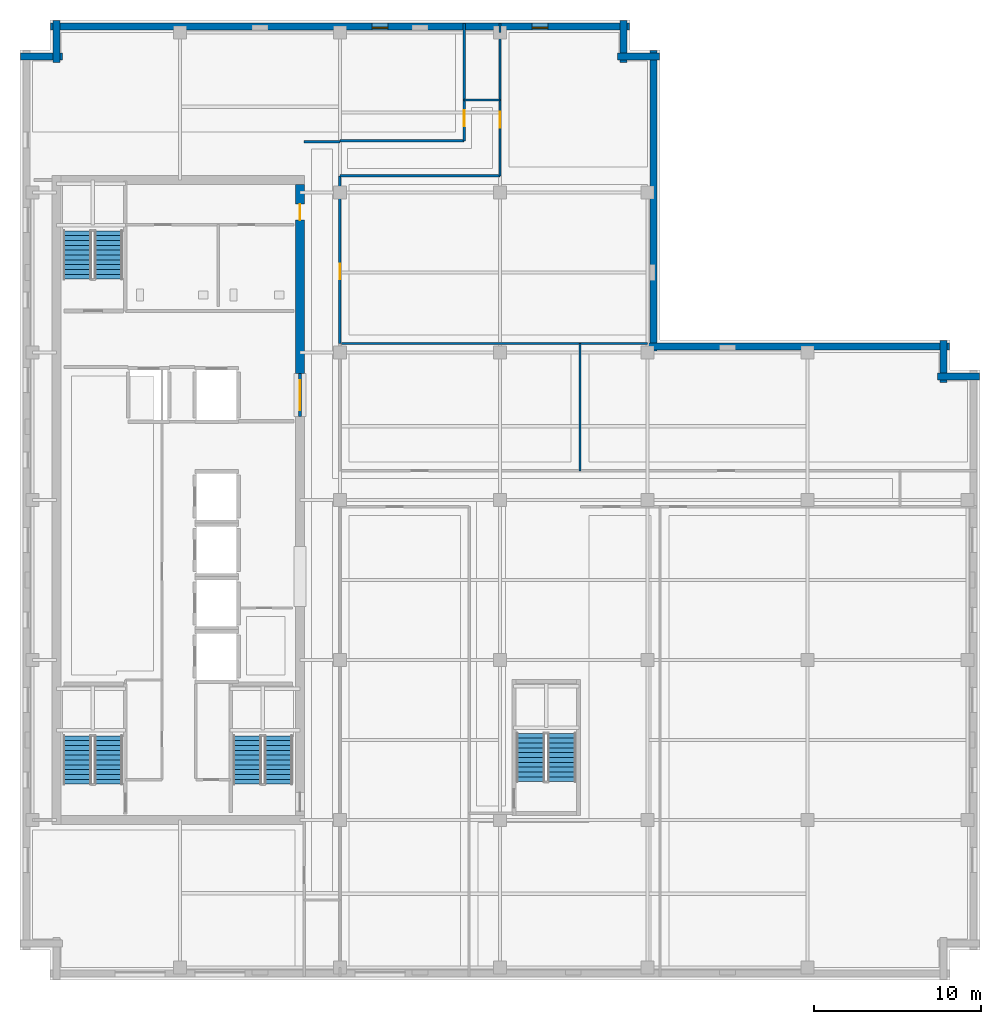
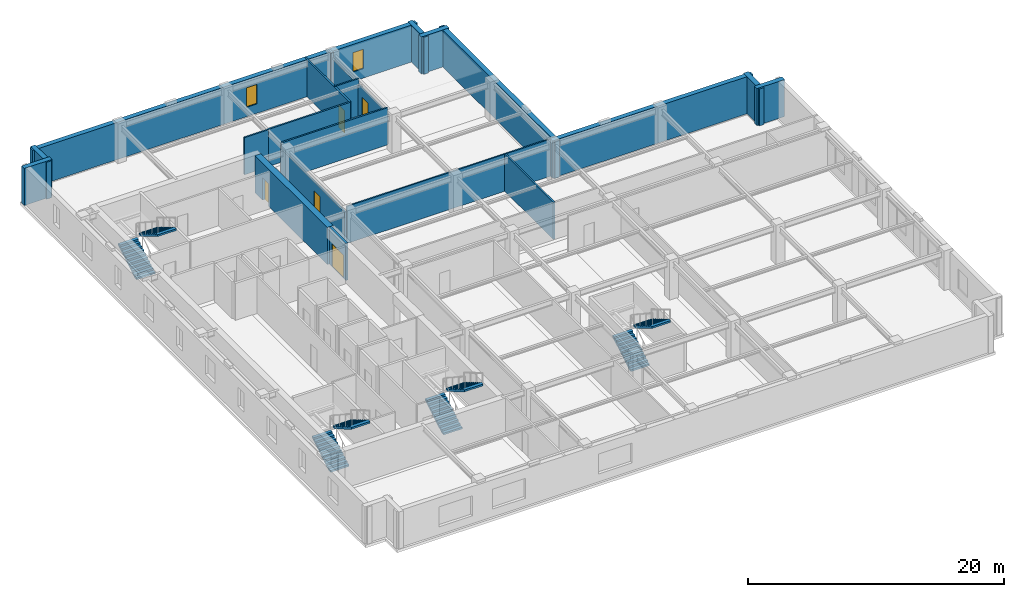
# One storey, part 6 of 11: 21 walls, 8 stair flights, 5 doors, 2 windows, 7 openings, 4 elements without a shape of their own.
"""IFC4 building model written with IfcOpenShell, lengths in metres."""

from ifc_helpers import new_model, si_unit, direction, frame, frame_2d, origin, place, context, subcontext, project, spatial, polyline, rectangle, outline, extrude, material, layer, layer_set, type_object, element, fill, aggregate, save


model = new_model("IFC4")

# Units and contexts
model_context = context("Model", 3, precision=1e-05, world=origin(), true_north=direction((0.0, 1.0)))
body_context = subcontext(model_context, "Body", "Model", "MODEL_VIEW")
ifc_project = project(units=[si_unit("LENGTHUNIT", "METRE"), si_unit("AREAUNIT", "SQUARE_METRE"), si_unit("VOLUMEUNIT", "CUBIC_METRE"), si_unit("PLANEANGLEUNIT", "RADIAN"), si_unit("MASSUNIT", "GRAM", prefix="KILO")], contexts=[model_context])

# Site, building, storey
site_placement = place(None, origin())
site = spatial("IfcSite", under=ifc_project, at=site_placement, CompositionType="ELEMENT")
building_placement = place(site_placement, origin())
building = spatial("IfcBuilding", under=site, at=building_placement, Name="Norrvale University Quadrangle", CompositionType="ELEMENT")
storey_placement = place(building_placement, frame((0.0, 0.0, 248.39990234375)))
storey = spatial("IfcBuildingStorey", under=building, at=storey_placement, Name="L63", CompositionType="ELEMENT", Elevation=248.39990234375)

# Walls
ifc_material_1 = material(Name="Buff Norman Clay Brick Masonry", Category="masonry")
ifc_layer_1 = layer(ifc_material_1, 0.419921875, Name="Buff Norman Clay Brick Masonry")
ifc_layer_set_1 = layer_set([ifc_layer_1], Name="Buff Norman Clay Brick Masonry")
wall_type_1 = type_object("IfcWallType", Name="Wall Buff Brick 420", PredefinedType="SOLIDWALL", material=ifc_layer_set_1)
for number, where, z_axis, x_axis, name in (
    (1, (57.56005859375, 36.2099609375, 0.0), (0.0, 0.0, 1.0), (-1.0, 0.0, 0.0), "Exterior Brick Facade Wall L63-05.1"),
    (2, (55.409912109375, 35.860107421875, 0.0), (0.0, 0.0, 1.0), (0.0, 1.0, 0.0), "Exterior Brick Facade Wall L63-06.1"),
):
    element("IfcWall", number, at=place(storey_placement, frame(where, z_axis=z_axis, x_axis=x_axis)), inside=storey, type_object=wall_type_1, Name=name, PredefinedType="SOLIDWALL", context=body_context, shape_type="SweptSolid", body=[
        extrude(rectangle(XDim=2.5, YDim=0.419921875, at=frame_2d((1.25, 0.0))), origin(), (0.0, 0.0, 1.0), 3.5400390625),
    ])
for number, where, z_axis, x_axis, name in (
    (3, (55.760009765625, 38.010009765625, 0.0), (0.0, 0.0, 1.0), (-1.0, 0.0, 0.0), "Exterior Brick Facade Wall L63-07.1"),
    (4, (38.010009765625, 37.659912109375, 0.0), (0.0, 0.0, 1.0), (0.0, 1.0, 0.0), "Exterior Brick Facade Wall L63-08.1"),
):
    element("IfcWall", number, at=place(storey_placement, frame(where, z_axis=z_axis, x_axis=x_axis)), inside=storey, type_object=wall_type_1, Name=name, PredefinedType="SOLIDWALL", context=body_context, shape_type="SweptSolid", body=[
        extrude(rectangle(XDim=18.10009765625, YDim=0.419921875, at=frame_2d((9.050048828125, 0.0))), origin(), (0.0, 0.0, 1.0), 3.5400390625),
    ])
for number, where, z_axis, x_axis, name in (
    (5, (38.360107421875, 55.409912109375, 0.0), (0.0, 0.0, 1.0), (-1.0, 0.0, 0.0), "Exterior Brick Facade Wall L63-09.1"),
    (6, (36.2099609375, 55.06005859375, 0.0), (0.0, 0.0, 1.0), (0.0, 1.0, 0.0), "Exterior Brick Facade Wall L63-10.1"),
):
    element("IfcWall", number, at=place(storey_placement, frame(where, z_axis=z_axis, x_axis=x_axis)), inside=storey, type_object=wall_type_1, Name=name, PredefinedType="SOLIDWALL", context=body_context, shape_type="SweptSolid", body=[
        extrude(rectangle(XDim=2.5, YDim=0.419921875, at=frame_2d((1.25, 0.0))), origin(), (0.0, 0.0, 1.0), 3.5400390625),
    ])

# Wall, openings, windows
wall_1_placement = place(storey_placement, frame((36.56005859375, 57.2099609375, 0.0), z_axis=(0.0, 0.0, 1.0), x_axis=(-1.0, 0.0, 0.0)))
wall_1 = element("IfcWall", 7, at=wall_1_placement, inside=storey, type_object=wall_type_1, Name="Exterior Brick Facade Wall L63-11.1", PredefinedType="SOLIDWALL", context=body_context, shape_type="SweptSolid", body=[
    extrude(rectangle(XDim=34.719970703125, YDim=0.419921875, at=frame_2d((17.35986328125, 0.0))), origin(), (0.0, 0.0, 1.0), 3.5400390625),
])
opening_1_placement = place(wall_1_placement, frame((4.885009765625, 0.0, 0.89990234375)))
opening_1 = element("IfcOpeningElement", 8, at=opening_1_placement, cuts=wall_1, Name="Opening W04", PredefinedType="OPENING", context=body_context, shape_type="SweptSolid", body=[
    extrude(rectangle(XDim=0.949951171875, YDim=1.85009765625, at=frame_2d((0.47509765625, 0.925048828125))), frame((0.0, 0.221923828125, 0.0), z_axis=(0.0, -1.0, 0.0), x_axis=(1.0, 0.0, 0.0)), (0.0, 0.0, 1.0), 0.44384765625),
])
opening_2_placement = place(wall_1_placement, frame((14.485107421875, 0.0, 0.89990234375)))
opening_2 = element("IfcOpeningElement", 9, at=opening_2_placement, cuts=wall_1, Name="Opening W04", PredefinedType="OPENING", context=body_context, shape_type="SweptSolid", body=[
    extrude(rectangle(XDim=0.949951171875, YDim=1.85009765625, at=frame_2d((0.47509765625, 0.925048828125))), frame((0.0, 0.221923828125, 0.0), z_axis=(0.0, -1.0, 0.0), x_axis=(1.0, 0.0, 0.0)), (0.0, 0.0, 1.0), 0.44384765625),
])
ifc_material_2 = material(Name="Triple Low-E Argon Glazing", Category="glass")
window_type = type_object("IfcWindowType", Name="Window Narrow Pier 950x2300", PartitioningType="SINGLE_PANEL", PredefinedType="WINDOW", material=ifc_material_2)
window_1_placement = place(opening_1_placement, origin())
window_1 = element("IfcWindow", 10, at=window_1_placement, inside=storey, type_object=window_type, Name="Window Narrow Pier 950x2300 WIN-L63-E11-1-01", OverallHeight=1.85009765625, OverallWidth=0.949951171875, PartitioningType="SINGLE_PANEL", PredefinedType="WINDOW", context=body_context, shape_type="SweptSolid", body=[
    extrude(rectangle(XDim=0.949951171875, YDim=1.85009765625, at=frame_2d((0.47509765625, 0.925048828125))), frame((0.0, 0.110107421875, 0.0), z_axis=(0.0, -1.0, 0.0), x_axis=(1.0, 0.0, 0.0)), (0.0, 0.0, 1.0), 0.06005859375),
])
fill(opening_1, window_1)
window_2_placement = place(opening_2_placement, origin())
window_2 = element("IfcWindow", 11, at=window_2_placement, inside=storey, type_object=window_type, Name="Window Narrow Pier 950x2300 WIN-L63-E11-1-02", OverallHeight=1.85009765625, OverallWidth=0.949951171875, PartitioningType="SINGLE_PANEL", PredefinedType="WINDOW", context=body_context, shape_type="SweptSolid", body=[
    extrude(rectangle(XDim=0.949951171875, YDim=1.85009765625, at=frame_2d((0.47509765625, 0.925048828125))), frame((0.0, 0.110107421875, 0.0), z_axis=(0.0, -1.0, 0.0), x_axis=(1.0, 0.0, 0.0)), (0.0, 0.0, 1.0), 0.06005859375),
])
fill(opening_2, window_2)

# Walls
for number, where, z_axis, x_axis, name in (
    (12, (2.18994140625, 57.56005859375, 0.0), (0.0, 0.0, 1.0), (0.0, -1.0, 0.0), "Exterior Brick Facade Wall L63-12.1"),
    (13, (2.5400390625, 55.409912109375, 0.0), (0.0, 0.0, 1.0), (-1.0, 0.0, 0.0), "Exterior Brick Facade Wall L63-13.1"),
):
    element("IfcWall", number, at=place(storey_placement, frame(where, z_axis=z_axis, x_axis=x_axis)), inside=storey, type_object=wall_type_1, Name=name, PredefinedType="SOLIDWALL", context=body_context, shape_type="SweptSolid", body=[
        extrude(rectangle(XDim=2.5, YDim=0.419921875, at=frame_2d((1.25, 0.0))), origin(), (0.0, 0.0, 1.0), 3.5400390625),
    ])

# Wall, opening, door
ifc_material_3 = material(Name="Concrete C60/75", Category="concrete")
ifc_layer_2 = layer(ifc_material_3, 0.550048828125, Name="Concrete C60/75")
ifc_layer_set_2 = layer_set([ifc_layer_2], Name="Concrete C60/75")
wall_type_2 = type_object("IfcWallType", Name="Wall Core 550", PredefinedType="SHEAR", material=ifc_layer_set_2)
wall_2_placement = place(storey_placement, frame((16.800048828125, 36.39990234375, 0.0), z_axis=(0.0, 0.0, 1.0), x_axis=(0.0, 1.0, 0.0)))
wall_2 = element("IfcWall", 14, at=wall_2_placement, inside=storey, type_object=wall_type_2, Name="Tower Core Shear Wall L63-E3", PredefinedType="SHEAR", context=body_context, shape_type="SweptSolid", body=[
    extrude(rectangle(XDim=11.3251953125, YDim=0.550048828125, at=frame_2d((5.66259765625, 0.0))), origin(), (0.0, 0.0, 1.0), 3.5400390625),
])
opening_3_placement = place(wall_2_placement, frame((9.199951171875, 0.0, 0.0)))
opening_3 = element("IfcOpeningElement", 15, at=opening_3_placement, cuts=wall_2, Name="Opening D07", PredefinedType="OPENING", context=body_context, shape_type="SweptSolid", body=[
    extrude(rectangle(XDim=0.949951171875, YDim=2.14990234375, at=frame_2d((0.47509765625, 1.074951171875))), frame((0.0, 0.287109375, 0.0), z_axis=(0.0, -1.0, 0.0), x_axis=(1.0, 0.0, 0.0)), (0.0, 0.0, 1.0), 0.573974609375),
])
ifc_material_4 = material(Name="Solid-Core Maple Door", Category="wood")
door_type_1 = type_object("IfcDoorType", Name="Door Office 950x2150", OperationType="NOTDEFINED", PredefinedType="DOOR", material=ifc_material_4)
door_1_placement = place(opening_3_placement, origin())
door_1 = element("IfcDoor", 16, at=door_1_placement, inside=storey, type_object=door_type_1, Name="Door Office 950x2150 DR-L63-NECORR", OperationType="SINGLE_SWING_RIGHT", OverallHeight=2.14990234375, OverallWidth=0.949951171875, PredefinedType="DOOR", context=body_context, shape_type="SweptSolid", body=[
    extrude(rectangle(XDim=0.949951171875, YDim=2.14990234375, at=frame_2d((0.47509765625, 1.074951171875))), frame((0.0, 0.02490234375, 0.0), z_axis=(0.0, -1.0, 0.0), x_axis=(1.0, 0.0, 0.0)), (0.0, 0.0, 1.0), 0.050048828125),
])
fill(opening_3, door_1)

# Walls
ifc_material_5 = material(Name="Standard Academic Gypsum Partition")
ifc_layer_3 = layer(ifc_material_5, 0.125, Name="Standard Academic Gypsum Partition")
ifc_layer_set_3 = layer_set([ifc_layer_3], Name="Standard Academic Gypsum Partition")
wall_type_3 = type_object("IfcWallType", Name="Wall Gypsum Academic 125", PredefinedType="PARTITIONING", material=ifc_layer_set_3)
wall_3_placement = place(storey_placement, frame((19.280029296875, 38.179931640625, 0.0), z_axis=(0.0, 0.0, 1.0), x_axis=(1.0, 0.0, 0.0)))
element("IfcWall", 17, at=wall_3_placement, inside=storey, type_object=wall_type_3, Name="Interior Partition WL-L63-ME-N", PredefinedType="PARTITIONING", context=body_context, shape_type="SweptSolid", body=[
    extrude(rectangle(XDim=18.369873046875, YDim=0.125, at=frame_2d((9.18505859375, 0.0))), origin(), (0.0, 0.0, 1.0), 3.5400390625),
])
ifc_material_6 = material(Name="Fire-Rated Gypsum Stud Partition")
ifc_layer_4 = layer(ifc_material_6, 0.14990234375, Name="Fire-Rated Gypsum Stud Partition")
ifc_layer_set_4 = layer_set([ifc_layer_4], Name="Fire-Rated Gypsum Stud Partition")
wall_type_4 = type_object("IfcWallType", Name="Wall Gypsum Corridor 150", PredefinedType="PARTITIONING", material=ifc_layer_set_4)
wall_4_placement = place(storey_placement, frame((17.050048828125, 50.300048828125, 0.0), z_axis=(0.0, 0.0, 1.0), x_axis=(1.0, 0.0, 0.0)))
element("IfcWall", 18, at=wall_4_placement, inside=storey, type_object=wall_type_4, Name="Interior Partition WL-L63-CSP-N", PredefinedType="PARTITIONING", context=body_context, shape_type="SweptSolid", body=[
    extrude(rectangle(XDim=2.14990234375, YDim=0.14990234375, at=frame_2d((1.074951171875, 0.0))), origin(), (0.0, 0.0, 1.0), 3.5400390625),
])
wall_5_placement = place(storey_placement, frame((33.60009765625, 30.550048828125, 0.0), z_axis=(0.0, 0.0, 1.0), x_axis=(0.0, 1.0, 0.0)))
element("IfcWall", 19, at=wall_5_placement, inside=storey, type_object=wall_type_4, Name="Interior Partition WL-L63-MEP01", PredefinedType="PARTITIONING", context=body_context, shape_type="SweptSolid", body=[
    extrude(rectangle(XDim=7.6298828125, YDim=0.14990234375, at=frame_2d((3.81494140625, 0.0))), origin(), (0.0, 0.0, 1.0), 3.5400390625),
])

# Wall, opening, door
wall_6_placement = place(storey_placement, frame((19.199951171875, 38.179931640625, 0.0), z_axis=(0.0, 0.0, 1.0), x_axis=(0.0, 1.0, 0.0)))
wall_6 = element("IfcWall", 20, at=wall_6_placement, inside=storey, type_object=wall_type_4, Name="Interior Partition WL-L63-MNECW", PredefinedType="PARTITIONING", context=body_context, shape_type="SweptSolid", body=[
    extrude(rectangle(XDim=10.070068359375, YDim=0.14990234375, at=frame_2d((5.03515625, 0.0))), origin(), (0.0, 0.0, 1.0), 3.007080078125),
])
opening_4_placement = place(wall_6_placement, frame((3.85009765625, 0.0, 0.0)))
opening_4 = element("IfcOpeningElement", 21, at=opening_4_placement, cuts=wall_6, Name="Opening D07", PredefinedType="OPENING", context=body_context, shape_type="SweptSolid", body=[
    extrude(rectangle(XDim=0.949951171875, YDim=2.14990234375, at=frame_2d((0.47509765625, 1.074951171875))), frame((0.0, 0.0869140625, 0.0), z_axis=(0.0, -1.0, 0.0), x_axis=(1.0, 0.0, 0.0)), (0.0, 0.0, 1.0), 0.173828125),
])
door_2_placement = place(opening_4_placement, origin())
door_2 = element("IfcDoor", 22, at=door_2_placement, inside=storey, type_object=door_type_1, Name="Door Office 950x2150 DR-L63-MNE01", OperationType="SINGLE_SWING_RIGHT", OverallHeight=2.14990234375, OverallWidth=0.949951171875, PredefinedType="DOOR", context=body_context, shape_type="SweptSolid", body=[
    extrude(rectangle(XDim=0.949951171875, YDim=2.14990234375, at=frame_2d((0.47509765625, 1.074951171875))), frame((0.0, 0.02490234375, 0.0), z_axis=(0.0, -1.0, 0.0), x_axis=(1.0, 0.0, 0.0)), (0.0, 0.0, 1.0), 0.050048828125),
])
fill(opening_4, door_2)

# Walls
wall_7_placement = place(storey_placement, frame((19.199951171875, 48.25, 0.0), z_axis=(0.0, 0.0, 1.0), x_axis=(1.0, 0.0, 0.0)))
element("IfcWall", 23, at=wall_7_placement, inside=storey, type_object=wall_type_4, Name="Interior Partition WL-L63-JOGS", PredefinedType="PARTITIONING", context=body_context, shape_type="SweptSolid", body=[
    extrude(rectangle(XDim=9.60009765625, YDim=0.14990234375, at=frame_2d((4.800048828125, 0.0))), origin(), (0.0, 0.0, 1.0), 3.5400390625),
])
wall_8_placement = place(storey_placement, frame((19.199951171875, 50.35009765625, 0.0), z_axis=(0.0, 0.0, 1.0), x_axis=(1.0, 0.0, 0.0)))
element("IfcWall", 24, at=wall_8_placement, inside=storey, type_object=wall_type_4, Name="Interior Partition WL-L63-JOGN", PredefinedType="PARTITIONING", context=body_context, shape_type="SweptSolid", body=[
    extrude(rectangle(XDim=7.449951171875, YDim=0.14990234375, at=frame_2d((3.72509765625, 0.0))), origin(), (0.0, 0.0, 1.0), 3.5400390625),
])
wall_9_placement = place(storey_placement, frame((26.64990234375, 52.800048828125, 0.0), z_axis=(0.0, 0.0, 1.0), x_axis=(1.0, 0.0, 0.0)))
element("IfcWall", 25, at=wall_9_placement, inside=storey, type_object=wall_type_4, Name="Interior Partition WL-L63-JOGEND", PredefinedType="PARTITIONING", context=body_context, shape_type="SweptSolid", body=[
    extrude(rectangle(XDim=2.150146484375, YDim=0.14990234375, at=frame_2d((1.0751953125, 0.0))), origin(), (0.0, 0.0, 1.0), 3.5400390625),
])

# Wall, opening, door
wall_10_placement = place(storey_placement, frame((28.800048828125, 48.25, 0.0), z_axis=(0.0, 0.0, 1.0), x_axis=(0.0, 1.0, 0.0)))
wall_10 = element("IfcWall", 26, at=wall_10_placement, inside=storey, type_object=wall_type_4, Name="Interior Partition WL-L63-NECW", PredefinedType="PARTITIONING", context=body_context, shape_type="SweptSolid", body=[
    extrude(rectangle(XDim=8.60009765625, YDim=0.14990234375, at=frame_2d((4.300048828125, 0.0))), origin(), (0.0, 0.0, 1.0), 3.007080078125),
])
opening_5_placement = place(wall_10_placement, frame((2.89990234375, 0.0, 0.0)))
opening_5 = element("IfcOpeningElement", 27, at=opening_5_placement, cuts=wall_10, Name="Opening D07", PredefinedType="OPENING", context=body_context, shape_type="SweptSolid", body=[
    extrude(rectangle(XDim=0.949951171875, YDim=2.14990234375, at=frame_2d((0.47509765625, 1.074951171875))), frame((0.0, 0.0869140625, 0.0), z_axis=(0.0, -1.0, 0.0), x_axis=(1.0, 0.0, 0.0)), (0.0, 0.0, 1.0), 0.173828125),
])
door_3_placement = place(opening_5_placement, origin())
door_3 = element("IfcDoor", 28, at=door_3_placement, inside=storey, type_object=door_type_1, Name="Door Office 950x2150 DR-L63-NE01", OperationType="SINGLE_SWING_RIGHT", OverallHeight=2.14990234375, OverallWidth=0.949951171875, PredefinedType="DOOR", context=body_context, shape_type="SweptSolid", body=[
    extrude(rectangle(XDim=0.949951171875, YDim=2.14990234375, at=frame_2d((0.47509765625, 1.074951171875))), frame((0.0, 0.02490234375, 0.0), z_axis=(0.0, -1.0, 0.0), x_axis=(1.0, 0.0, 0.0)), (0.0, 0.0, 1.0), 0.050048828125),
])
fill(opening_5, door_3)

# Wall
wall_11_placement = place(storey_placement, frame((28.800048828125, 56.85009765625, 0.0), z_axis=(0.0, 0.0, 1.0), x_axis=(0.0, 1.0, 0.0)))
element("IfcWall", 29, at=wall_11_placement, inside=storey, type_object=wall_type_4, Name="Interior Partition WL-L63-NECW-B2", PredefinedType="PARTITIONING", context=body_context, shape_type="SweptSolid", body=[
    extrude(rectangle(XDim=0.52978515625, YDim=0.14990234375, at=frame_2d((0.264892578125, 0.0))), origin(), (0.0, 0.0, 1.0), 3.5400390625),
])

# Wall, opening, door
wall_12_placement = place(storey_placement, frame((26.64990234375, 50.35009765625, 0.0), z_axis=(0.0, 0.0, 1.0), x_axis=(0.0, 1.0, 0.0)))
wall_12 = element("IfcWall", 30, at=wall_12_placement, inside=storey, type_object=wall_type_4, Name="Interior Partition WL-L63-NWCW", PredefinedType="PARTITIONING", context=body_context, shape_type="SweptSolid", body=[
    extrude(rectangle(XDim=7.02978515625, YDim=0.14990234375, at=frame_2d((3.514892578125, 0.0))), origin(), (0.0, 0.0, 1.0), 3.5400390625),
])
opening_6_placement = place(wall_12_placement, frame((0.875, 0.0, 0.0)))
opening_6 = element("IfcOpeningElement", 31, at=opening_6_placement, cuts=wall_12, Name="Opening D07", PredefinedType="OPENING", context=body_context, shape_type="SweptSolid", body=[
    extrude(rectangle(XDim=0.949951171875, YDim=2.14990234375, at=frame_2d((0.47509765625, 1.074951171875))), frame((0.0, 0.0869140625, 0.0), z_axis=(0.0, -1.0, 0.0), x_axis=(1.0, 0.0, 0.0)), (0.0, 0.0, 1.0), 0.173828125),
])
door_4_placement = place(opening_6_placement, origin())
door_4 = element("IfcDoor", 32, at=door_4_placement, inside=storey, type_object=door_type_1, Name="Door Office 950x2150 DR-L63-NW01", OperationType="SINGLE_SWING_RIGHT", OverallHeight=2.14990234375, OverallWidth=0.949951171875, PredefinedType="DOOR", context=body_context, shape_type="SweptSolid", body=[
    extrude(rectangle(XDim=0.949951171875, YDim=2.14990234375, at=frame_2d((0.47509765625, 1.074951171875))), frame((0.0, 0.02490234375, 0.0), z_axis=(0.0, -1.0, 0.0), x_axis=(1.0, 0.0, 0.0)), (0.0, 0.0, 1.0), 0.050048828125),
])
fill(opening_6, door_4)

ifc_material_7 = material(Name="Concrete Blockwork 20 MPa Rated Wall", Category="masonry")
ifc_layer_5 = layer(ifc_material_7, 0.199951171875, Name="Concrete Blockwork 20 MPa Rated Wall")
ifc_layer_set_5 = layer_set([ifc_layer_5], Name="Concrete Blockwork 20 MPa Rated Wall")
wall_type_5 = type_object("IfcWallType", Name="Wall Lobby 200", PredefinedType="SOLIDWALL", material=ifc_layer_set_5)
wall_13_placement = place(storey_placement, frame((16.800048828125, 33.800048828125, 0.0), z_axis=(0.0, 0.0, 1.0), x_axis=(0.0, 1.0, 0.0)))
wall_13 = element("IfcWall", 33, at=wall_13_placement, inside=storey, type_object=wall_type_5, Name="Interior Partition WL-L63-FFP", PredefinedType="SOLIDWALL", context=body_context, shape_type="SweptSolid", body=[
    extrude(rectangle(XDim=2.599853515625, YDim=0.199951171875, at=frame_2d((1.2998046875, 0.0))), origin(), (0.0, 0.0, 1.0), 3.5400390625),
])
opening_7_placement = place(wall_13_placement, frame((0.39990234375, 0.0, 0.0)))
opening_7 = element("IfcOpeningElement", 34, at=opening_7_placement, cuts=wall_13, Name="Opening D03", PredefinedType="OPENING", context=body_context, shape_type="SweptSolid", body=[
    extrude(rectangle(XDim=1.800048828125, YDim=2.199951171875, at=frame_2d((0.89990234375, 1.10009765625))), frame((0.0, 0.112060546875, 0.0), z_axis=(0.0, -1.0, 0.0), x_axis=(1.0, 0.0, 0.0)), (0.0, 0.0, 1.0), 0.223876953125),
])
ifc_material_8 = material(Name="Hollow Steel 350W Fire Door", Category="steel")
door_type_2 = type_object("IfcDoorType", Name="Door Fire Lobby 1800x2200", OperationType="DOUBLE_DOOR_SINGLE_SWING", PredefinedType="DOOR", material=ifc_material_8)
door_5_placement = place(opening_7_placement, origin())
door_5 = element("IfcDoor", 35, at=door_5_placement, inside=storey, type_object=door_type_2, Name="Door Fire Lobby 1800x2200 DR-L63-FFP", OperationType="DOUBLE_DOOR_SINGLE_SWING", OverallHeight=2.199951171875, OverallWidth=1.800048828125, PredefinedType="DOOR", context=body_context, shape_type="SweptSolid", body=[
    extrude(rectangle(XDim=1.800048828125, YDim=2.199951171875, at=frame_2d((0.89990234375, 1.10009765625))), frame((0.0, 0.02490234375, 0.0), z_axis=(0.0, -1.0, 0.0), x_axis=(1.0, 0.0, 0.0)), (0.0, 0.0, 1.0), 0.050048828125),
])
fill(opening_7, door_5)

# Stair, stair flights
ifc_material_9 = material(Name="Concrete C40/50", Category="concrete")
stair_type = type_object("IfcStairType", Name="Stair Tower Typ 3800", PredefinedType="TWO_STRAIGHT_RUN_STAIR", material=ifc_material_9)
stair_1_placement = place(storey_placement, origin())
stair_1 = element("IfcStair", 36, at=stair_1_placement, inside=storey, type_object=stair_type, Name="Exit Stair ST-01 L63", PredefinedType="TWO_STRAIGHT_RUN_STAIR")
stair_flight_type = type_object("IfcStairFlightType", Name="Flight Typ 1500", PredefinedType="STRAIGHT", material=ifc_material_9)
stair_flight_1_placement = place(storey_placement, frame((3.429931640625, 11.75, 0.0), z_axis=(0.0, 0.0, 1.0), x_axis=(0.0, 1.0, 0.0)))
stair_flight_1 = element("IfcStairFlight", 37, at=stair_flight_1_placement, type_object=stair_flight_type, Name="Exit Stair ST-01 L63 Lower Flight", NumberOfRisers=11, NumberOfTreads=10, PredefinedType="STRAIGHT", RiserHeight=0.172727, TreadLength=0.29, context=body_context, shape_type="SweptSolid", body=[
    extrude(outline(polyline([(0.0, 0.0), (0.0, 0.172607421875), (0.2900390625, 0.172607421875), (0.2900390625, 0.345458984375), (0.580078125, 0.345458984375), (0.580078125, 0.51806640625), (0.8701171875, 0.51806640625), (0.8701171875, 0.69091796875), (1.159912109375, 0.69091796875), (1.159912109375, 0.863525390625), (1.449951171875, 0.863525390625), (1.449951171875, 1.036376953125), (1.739990234375, 1.036376953125), (1.739990234375, 1.208984375), (2.030029296875, 1.208984375), (2.030029296875, 1.3818359375), (2.320068359375, 1.3818359375), (2.320068359375, 1.554443359375), (2.610107421875, 1.554443359375), (2.610107421875, 1.727294921875), (2.89990234375, 1.727294921875), (2.89990234375, 1.89990234375), (2.89990234375, 1.552734375), (0.29296875, 0.0), (0.0, 0.0)])), frame((0.0, 0.83984375, 0.0), z_axis=(0.0, -1.0, 0.0), x_axis=(1.0, 0.0, 0.0)), (0.0, 0.0, 1.0), 1.679931640625),
])
stair_flight_2_placement = place(storey_placement, frame((5.320068359375, 14.64990234375, 1.900146484375), z_axis=(0.0, 0.0, 1.0), x_axis=(0.0, -1.0, 0.0)))
stair_flight_2 = element("IfcStairFlight", 38, at=stair_flight_2_placement, type_object=stair_flight_type, Name="Exit Stair ST-01 L63 Upper Flight", NumberOfRisers=11, NumberOfTreads=10, PredefinedType="STRAIGHT", RiserHeight=0.172727, TreadLength=0.29, context=body_context, shape_type="SweptSolid", body=[
    extrude(outline(polyline([(0.0, 0.0), (0.0, 0.172607421875), (0.2900390625, 0.172607421875), (0.2900390625, 0.345458984375), (0.580078125, 0.345458984375), (0.580078125, 0.51806640625), (0.8701171875, 0.51806640625), (0.8701171875, 0.69091796875), (1.159912109375, 0.69091796875), (1.159912109375, 0.863525390625), (1.449951171875, 0.863525390625), (1.449951171875, 1.036376953125), (1.739990234375, 1.036376953125), (1.739990234375, 1.208984375), (2.030029296875, 1.208984375), (2.030029296875, 1.3818359375), (2.320068359375, 1.3818359375), (2.320068359375, 1.554443359375), (2.610107421875, 1.554443359375), (2.610107421875, 1.727294921875), (2.89990234375, 1.727294921875), (2.89990234375, 1.89990234375), (2.89990234375, 1.552734375), (0.29296875, 0.0), (0.0, 0.0)])), frame((0.0, 0.83984375, 0.0), z_axis=(0.0, -1.0, 0.0), x_axis=(1.0, 0.0, 0.0)), (0.0, 0.0, 1.0), 1.679931640625),
])
aggregate(stair_1, [stair_flight_1, stair_flight_2])

stair_2_placement = place(storey_placement, origin())
stair_2 = element("IfcStair", 39, at=stair_2_placement, inside=storey, type_object=stair_type, Name="Exit Stair ST-02 L63", PredefinedType="TWO_STRAIGHT_RUN_STAIR")
stair_flight_3_placement = place(storey_placement, frame((3.429931640625, 42.050048828125, 0.0), z_axis=(0.0, 0.0, 1.0), x_axis=(0.0, 1.0, 0.0)))
stair_flight_3 = element("IfcStairFlight", 40, at=stair_flight_3_placement, type_object=stair_flight_type, Name="Exit Stair ST-02 L63 Lower Flight", NumberOfRisers=11, NumberOfTreads=10, PredefinedType="STRAIGHT", RiserHeight=0.172727, TreadLength=0.29, context=body_context, shape_type="SweptSolid", body=[
    extrude(outline(polyline([(0.0, 0.0), (0.0, 0.172607421875), (0.2900390625, 0.172607421875), (0.2900390625, 0.345458984375), (0.580078125, 0.345458984375), (0.580078125, 0.51806640625), (0.8701171875, 0.51806640625), (0.8701171875, 0.69091796875), (1.159912109375, 0.69091796875), (1.159912109375, 0.863525390625), (1.449951171875, 0.863525390625), (1.449951171875, 1.036376953125), (1.739990234375, 1.036376953125), (1.739990234375, 1.208984375), (2.030029296875, 1.208984375), (2.030029296875, 1.3818359375), (2.320068359375, 1.3818359375), (2.320068359375, 1.554443359375), (2.610107421875, 1.554443359375), (2.610107421875, 1.727294921875), (2.89990234375, 1.727294921875), (2.89990234375, 1.89990234375), (2.89990234375, 1.552734375), (0.29296875, 0.0), (0.0, 0.0)])), frame((0.0, 0.83984375, 0.0), z_axis=(0.0, -1.0, 0.0), x_axis=(1.0, 0.0, 0.0)), (0.0, 0.0, 1.0), 1.679931640625),
])
stair_flight_4_placement = place(storey_placement, frame((5.320068359375, 44.949951171875, 1.900146484375), z_axis=(0.0, 0.0, 1.0), x_axis=(0.0, -1.0, 0.0)))
stair_flight_4 = element("IfcStairFlight", 41, at=stair_flight_4_placement, type_object=stair_flight_type, Name="Exit Stair ST-02 L63 Upper Flight", NumberOfRisers=11, NumberOfTreads=10, PredefinedType="STRAIGHT", RiserHeight=0.172727, TreadLength=0.29, context=body_context, shape_type="SweptSolid", body=[
    extrude(outline(polyline([(0.0, 0.0), (0.0, 0.172607421875), (0.2900390625, 0.172607421875), (0.2900390625, 0.345458984375), (0.580078125, 0.345458984375), (0.580078125, 0.51806640625), (0.8701171875, 0.51806640625), (0.8701171875, 0.69091796875), (1.159912109375, 0.69091796875), (1.159912109375, 0.863525390625), (1.449951171875, 0.863525390625), (1.449951171875, 1.036376953125), (1.739990234375, 1.036376953125), (1.739990234375, 1.208984375), (2.030029296875, 1.208984375), (2.030029296875, 1.3818359375), (2.320068359375, 1.3818359375), (2.320068359375, 1.554443359375), (2.610107421875, 1.554443359375), (2.610107421875, 1.727294921875), (2.89990234375, 1.727294921875), (2.89990234375, 1.89990234375), (2.89990234375, 1.552734375), (0.29296875, 0.0), (0.0, 0.0)])), frame((0.0, 0.83984375, 0.0), z_axis=(0.0, -1.0, 0.0), x_axis=(1.0, 0.0, 0.0)), (0.0, 0.0, 1.0), 1.679931640625),
])
aggregate(stair_2, [stair_flight_3, stair_flight_4])

stair_3_placement = place(storey_placement, origin())
stair_3 = element("IfcStair", 42, at=stair_3_placement, inside=storey, type_object=stair_type, Name="Exit Stair ST-03 L63", PredefinedType="TWO_STRAIGHT_RUN_STAIR")
stair_flight_5_placement = place(storey_placement, frame((13.6298828125, 11.75, 0.0), z_axis=(0.0, 0.0, 1.0), x_axis=(0.0, 1.0, 0.0)))
stair_flight_5 = element("IfcStairFlight", 43, at=stair_flight_5_placement, type_object=stair_flight_type, Name="Exit Stair ST-03 L63 Lower Flight", NumberOfRisers=11, NumberOfTreads=10, PredefinedType="STRAIGHT", RiserHeight=0.172727, TreadLength=0.29, context=body_context, shape_type="SweptSolid", body=[
    extrude(outline(polyline([(0.0, 0.0), (0.0, 0.172607421875), (0.2900390625, 0.172607421875), (0.2900390625, 0.345458984375), (0.580078125, 0.345458984375), (0.580078125, 0.51806640625), (0.8701171875, 0.51806640625), (0.8701171875, 0.69091796875), (1.159912109375, 0.69091796875), (1.159912109375, 0.863525390625), (1.449951171875, 0.863525390625), (1.449951171875, 1.036376953125), (1.739990234375, 1.036376953125), (1.739990234375, 1.208984375), (2.030029296875, 1.208984375), (2.030029296875, 1.3818359375), (2.320068359375, 1.3818359375), (2.320068359375, 1.554443359375), (2.610107421875, 1.554443359375), (2.610107421875, 1.727294921875), (2.89990234375, 1.727294921875), (2.89990234375, 1.89990234375), (2.89990234375, 1.552734375), (0.29296875, 0.0), (0.0, 0.0)])), frame((0.0, 0.83984375, 0.0), z_axis=(0.0, -1.0, 0.0), x_axis=(1.0, 0.0, 0.0)), (0.0, 0.0, 1.0), 1.679931640625),
])
stair_flight_6_placement = place(storey_placement, frame((15.52001953125, 14.64990234375, 1.900146484375), z_axis=(0.0, 0.0, 1.0), x_axis=(0.0, -1.0, 0.0)))
stair_flight_6 = element("IfcStairFlight", 44, at=stair_flight_6_placement, type_object=stair_flight_type, Name="Exit Stair ST-03 L63 Upper Flight", NumberOfRisers=11, NumberOfTreads=10, PredefinedType="STRAIGHT", RiserHeight=0.172727, TreadLength=0.29, context=body_context, shape_type="SweptSolid", body=[
    extrude(outline(polyline([(0.0, 0.0), (0.0, 0.172607421875), (0.2900390625, 0.172607421875), (0.2900390625, 0.345458984375), (0.580078125, 0.345458984375), (0.580078125, 0.51806640625), (0.8701171875, 0.51806640625), (0.8701171875, 0.69091796875), (1.159912109375, 0.69091796875), (1.159912109375, 0.863525390625), (1.449951171875, 0.863525390625), (1.449951171875, 1.036376953125), (1.739990234375, 1.036376953125), (1.739990234375, 1.208984375), (2.030029296875, 1.208984375), (2.030029296875, 1.3818359375), (2.320068359375, 1.3818359375), (2.320068359375, 1.554443359375), (2.610107421875, 1.554443359375), (2.610107421875, 1.727294921875), (2.89990234375, 1.727294921875), (2.89990234375, 1.89990234375), (2.89990234375, 1.552734375), (0.29296875, 0.0), (0.0, 0.0)])), frame((0.0, 0.83984375, 0.0), z_axis=(0.0, -1.0, 0.0), x_axis=(1.0, 0.0, 0.0)), (0.0, 0.0, 1.0), 1.679931640625),
])
aggregate(stair_3, [stair_flight_5, stair_flight_6])

stair_4_placement = place(storey_placement, origin())
stair_4 = element("IfcStair", 45, at=stair_4_placement, inside=storey, type_object=stair_type, Name="Exit Stair ST-04 L63", PredefinedType="TWO_STRAIGHT_RUN_STAIR")
stair_flight_7_placement = place(storey_placement, frame((30.6298828125, 11.89990234375, 0.0), z_axis=(0.0, 0.0, 1.0), x_axis=(0.0, 1.0, 0.0)))
stair_flight_7 = element("IfcStairFlight", 46, at=stair_flight_7_placement, type_object=stair_flight_type, Name="Exit Stair ST-04 L63 Lower Flight", NumberOfRisers=11, NumberOfTreads=10, PredefinedType="STRAIGHT", RiserHeight=0.172727, TreadLength=0.29, context=body_context, shape_type="SweptSolid", body=[
    extrude(outline(polyline([(0.0, 0.0), (0.0, 0.172607421875), (0.2900390625, 0.172607421875), (0.2900390625, 0.345458984375), (0.580078125, 0.345458984375), (0.580078125, 0.51806640625), (0.8701171875, 0.51806640625), (0.8701171875, 0.69091796875), (1.159912109375, 0.69091796875), (1.159912109375, 0.863525390625), (1.449951171875, 0.863525390625), (1.449951171875, 1.036376953125), (1.739990234375, 1.036376953125), (1.739990234375, 1.208984375), (2.030029296875, 1.208984375), (2.030029296875, 1.3818359375), (2.320068359375, 1.3818359375), (2.320068359375, 1.554443359375), (2.610107421875, 1.554443359375), (2.610107421875, 1.727294921875), (2.89990234375, 1.727294921875), (2.89990234375, 1.89990234375), (2.89990234375, 1.552734375), (0.29296875, 0.0), (0.0, 0.0)])), frame((0.0, 0.83984375, 0.0), z_axis=(0.0, -1.0, 0.0), x_axis=(1.0, 0.0, 0.0)), (0.0, 0.0, 1.0), 1.679931640625),
])
stair_flight_8_placement = place(storey_placement, frame((32.52001953125, 14.800048828125, 1.900146484375), z_axis=(0.0, 0.0, 1.0), x_axis=(0.0, -1.0, 0.0)))
stair_flight_8 = element("IfcStairFlight", 47, at=stair_flight_8_placement, type_object=stair_flight_type, Name="Exit Stair ST-04 L63 Upper Flight", NumberOfRisers=11, NumberOfTreads=10, PredefinedType="STRAIGHT", RiserHeight=0.172727, TreadLength=0.29, context=body_context, shape_type="SweptSolid", body=[
    extrude(outline(polyline([(0.0, 0.0), (0.0, 0.172607421875), (0.2900390625, 0.172607421875), (0.2900390625, 0.345458984375), (0.580078125, 0.345458984375), (0.580078125, 0.51806640625), (0.8701171875, 0.51806640625), (0.8701171875, 0.69091796875), (1.159912109375, 0.69091796875), (1.159912109375, 0.863525390625), (1.449951171875, 0.863525390625), (1.449951171875, 1.036376953125), (1.739990234375, 1.036376953125), (1.739990234375, 1.208984375), (2.030029296875, 1.208984375), (2.030029296875, 1.3818359375), (2.320068359375, 1.3818359375), (2.320068359375, 1.554443359375), (2.610107421875, 1.554443359375), (2.610107421875, 1.727294921875), (2.89990234375, 1.727294921875), (2.89990234375, 1.89990234375), (2.89990234375, 1.552734375), (0.29296875, 0.0), (0.0, 0.0)])), frame((0.0, 0.83984375, 0.0), z_axis=(0.0, -1.0, 0.0), x_axis=(1.0, 0.0, 0.0)), (0.0, 0.0, 1.0), 1.679931640625),
])
aggregate(stair_4, [stair_flight_7, stair_flight_8])

save(model, "model.ifc")
